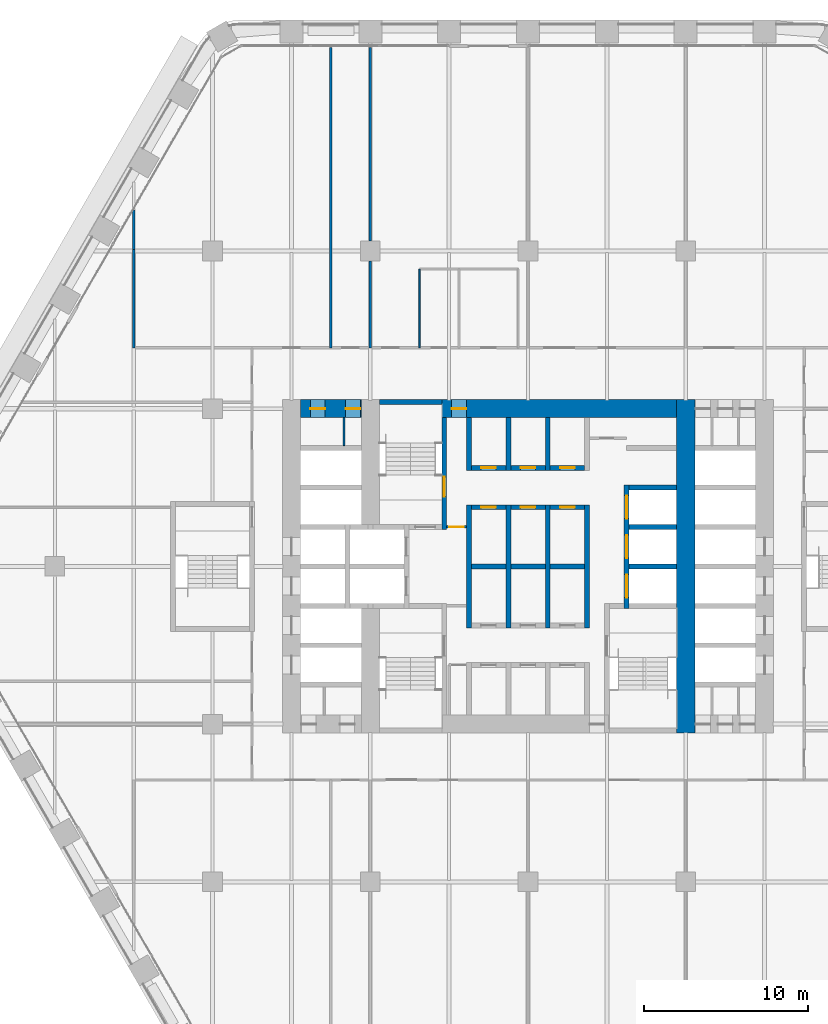
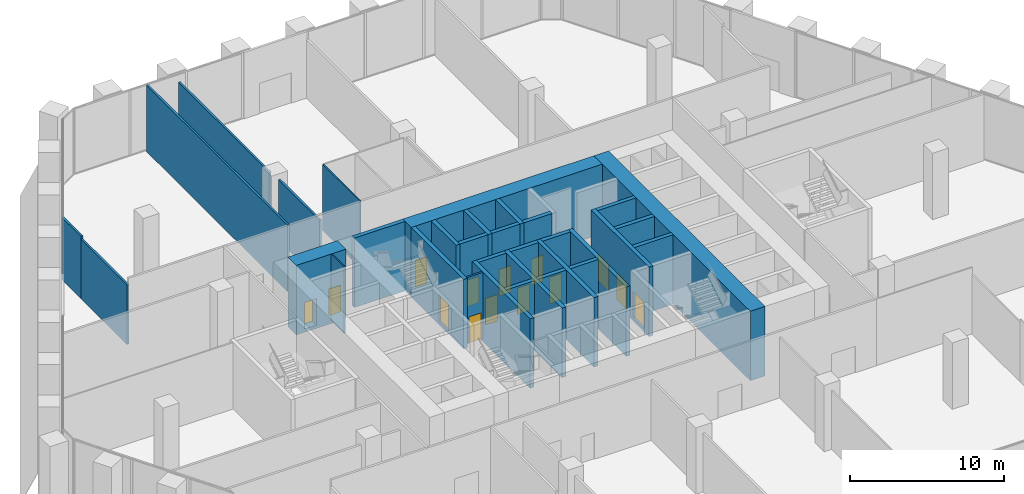
# One storey, part 20 of 27: 33 walls, 14 doors, 14 openings.
"""IFC4 building model written with IfcOpenShell, lengths in metres."""

from ifc_helpers import new_model, si_unit, direction, frame, frame_2d, origin, place, context, subcontext, project, spatial, rectangle, extrude, material, layer, layer_set, type_object, element, fill, save


model = new_model("IFC4")

# Units and contexts
model_context = context("Model", 3, precision=1e-05, world=origin(), true_north=direction((0.0, 1.0)))
body_context = subcontext(model_context, "Body", "Model", "MODEL_VIEW")
ifc_project = project(units=[si_unit("LENGTHUNIT", "METRE"), si_unit("AREAUNIT", "SQUARE_METRE"), si_unit("VOLUMEUNIT", "CUBIC_METRE"), si_unit("PLANEANGLEUNIT", "RADIAN"), si_unit("MASSUNIT", "GRAM", prefix="KILO")], contexts=[model_context])

# Site, building, storey
site_placement = place(None, origin())
site = spatial("IfcSite", under=ifc_project, at=site_placement, CompositionType="ELEMENT")
building_placement = place(site_placement, origin())
building = spatial("IfcBuilding", under=site, at=building_placement, Name="Kolab Exchange Tower", CompositionType="ELEMENT")
storey_placement = place(building_placement, frame((0.0, 0.0, 49.89990234375)))
storey = spatial("IfcBuildingStorey", under=building, at=storey_placement, Name="L09", CompositionType="ELEMENT", Elevation=49.89990234375)

# Wall, openings, doors
ifc_material_1 = material(Name="Concrete C80/95", Category="concrete")
ifc_layer_1 = layer(ifc_material_1, 1.10009765625)
ifc_layer_set_1 = layer_set([ifc_layer_1], Name="Concrete C80/95")
wall_type_1 = type_object("IfcWallType", Name="CORE WALL 1100 C80/95", PredefinedType="SHEAR", material=ifc_layer_set_1)
wall_1_placement = place(storey_placement, frame((-13.85009765625, 9.60009765625, -0.25), z_axis=(0.0, 0.0, 1.0), x_axis=(1.0, 0.0, 0.0)))
wall_1 = element("IfcWall", 1, at=wall_1_placement, inside=storey, type_object=wall_type_1, Name="wall/L09/core/051", PredefinedType="SHEAR", context=body_context, shape_type="SweptSolid", body=[
    extrude(rectangle(XDim=3.7001953125, YDim=1.10009765625, at=frame_2d((1.85009765625, 0.0))), origin(), (0.0, 0.0, 1.0), 5.5),
])
opening_1_placement = place(wall_1_placement, frame((0.60009765625, 0.0, 0.25)))
opening_1 = element("IfcOpeningElement", 2, at=opening_1_placement, cuts=wall_1, Name="Opening D6-108", PredefinedType="OPENING", context=body_context, shape_type="SweptSolid", body=[
    extrude(rectangle(XDim=0.89990234375, YDim=2.10009765625, at=frame_2d((0.449951171875, 1.050048828125))), frame((0.0, 0.56005859375, 0.0), z_axis=(0.0, -1.0, 0.0), x_axis=(1.0, 0.0, 0.0)), (0.0, 0.0, 1.0), 1.1201171875),
])
opening_2_placement = place(wall_1_placement, frame((2.75, 0.0, 0.25)))
opening_2 = element("IfcOpeningElement", 3, at=opening_2_placement, cuts=wall_1, Name="Opening D6-109", PredefinedType="OPENING", context=body_context, shape_type="SweptSolid", body=[
    extrude(rectangle(XDim=0.89990234375, YDim=2.10009765625, at=frame_2d((0.449951171875, 1.050048828125))), frame((0.0, 0.56005859375, 0.0), z_axis=(0.0, -1.0, 0.0), x_axis=(1.0, 0.0, 0.0)), (0.0, 0.0, 1.0), 1.1201171875),
])
ifc_material_2 = material(Name="Steel S235", Category="steel")
door_type_1 = type_object("IfcDoorType", Name="CORE DOOR 900 EI 120", OperationType="SINGLE_SWING_LEFT", PredefinedType="DOOR", material=ifc_material_2)
door_1_placement = place(opening_1_placement, frame((0.89990234375, 0.0, 0.0), z_axis=(0.0, 0.0, 1.0), x_axis=(-1.0, 0.0, 0.0)))
door_1 = element("IfcDoor", 4, at=door_1_placement, inside=storey, type_object=door_type_1, Name="Service room door", OperationType="SINGLE_SWING_RIGHT", OverallHeight=2.10009765625, OverallWidth=0.89990234375, PredefinedType="DOOR", context=body_context, shape_type="SweptSolid", body=[
    extrude(rectangle(XDim=0.89990234375, YDim=2.10009765625, at=frame_2d((0.449951171875, 1.050048828125))), frame((0.0, 0.02490234375, 0.0), z_axis=(0.0, -1.0, 0.0), x_axis=(1.0, 0.0, 0.0)), (0.0, 0.0, 1.0), 0.050048828125),
])
fill(opening_1, door_1)
door_2_placement = place(opening_2_placement, frame((0.89990234375, 0.0, 0.0), z_axis=(0.0, 0.0, 1.0), x_axis=(-1.0, 0.0, 0.0)))
door_2 = element("IfcDoor", 5, at=door_2_placement, inside=storey, type_object=door_type_1, Name="Service room door", OperationType="SINGLE_SWING_LEFT", OverallHeight=2.10009765625, OverallWidth=0.89990234375, PredefinedType="DOOR", context=body_context, shape_type="SweptSolid", body=[
    extrude(rectangle(XDim=0.89990234375, YDim=2.10009765625, at=frame_2d((0.449951171875, 1.050048828125))), frame((0.0, 0.02490234375, 0.0), z_axis=(0.0, -1.0, 0.0), x_axis=(1.0, 0.0, 0.0)), (0.0, 0.0, 1.0), 0.050048828125),
])
fill(opening_2, door_2)

# Wall, opening, door
wall_2_placement = place(storey_placement, frame((-5.25, 9.60009765625, -0.25), z_axis=(0.0, 0.0, 1.0), x_axis=(1.0, 0.0, 0.0)))
wall_2 = element("IfcWall", 6, at=wall_2_placement, inside=storey, type_object=wall_type_1, Name="wall/L09/core/052", PredefinedType="SHEAR", context=body_context, shape_type="SweptSolid", body=[
    extrude(rectangle(XDim=14.300048828125, YDim=1.10009765625, at=frame_2d((7.14990234375, 0.0))), origin(), (0.0, 0.0, 1.0), 5.5),
])
opening_3_placement = place(wall_2_placement, frame((0.60009765625, 0.0, 0.25)))
opening_3 = element("IfcOpeningElement", 7, at=opening_3_placement, cuts=wall_2, Name="Opening D6-107", PredefinedType="OPENING", context=body_context, shape_type="SweptSolid", body=[
    extrude(rectangle(XDim=0.89990234375, YDim=2.10009765625, at=frame_2d((0.449951171875, 1.050048828125))), frame((0.0, 0.56005859375, 0.0), z_axis=(0.0, -1.0, 0.0), x_axis=(1.0, 0.0, 0.0)), (0.0, 0.0, 1.0), 1.1201171875),
])
door_3_placement = place(opening_3_placement, frame((0.89990234375, 0.0, 0.0), z_axis=(0.0, 0.0, 1.0), x_axis=(-1.0, 0.0, 0.0)))
door_3 = element("IfcDoor", 8, at=door_3_placement, inside=storey, type_object=door_type_1, Name="Core lobby door", OperationType="SINGLE_SWING_RIGHT", OverallHeight=2.10009765625, OverallWidth=0.89990234375, PredefinedType="DOOR", context=body_context, shape_type="SweptSolid", body=[
    extrude(rectangle(XDim=0.89990234375, YDim=2.10009765625, at=frame_2d((0.449951171875, 1.050048828125))), frame((0.0, 0.02490234375, 0.0), z_axis=(0.0, -1.0, 0.0), x_axis=(1.0, 0.0, 0.0)), (0.0, 0.0, 1.0), 0.050048828125),
])
fill(opening_3, door_3)

# Walls
wall_3_placement = place(storey_placement, frame((9.60009765625, -10.14990234375, -0.25), z_axis=(0.0, 0.0, 1.0), x_axis=(0.0, 1.0, 0.0)))
element("IfcWall", 9, at=wall_3_placement, inside=storey, type_object=wall_type_1, Name="wall/L09/core/080", PredefinedType="SHEAR", context=body_context, shape_type="SweptSolid", body=[
    extrude(rectangle(XDim=20.2998046875, YDim=1.10009765625, at=frame_2d((10.14990234375, 0.0))), origin(), (0.0, 0.0, 1.0), 5.5),
])
ifc_material_3 = material(Name="Concrete C50/60", Category="concrete")
ifc_layer_2 = layer(ifc_material_3, 0.300048828125)
ifc_layer_set_2 = layer_set([ifc_layer_2], Name="Concrete C50/60")
wall_type_2 = type_object("IfcWallType", Name="LIFT SHAFT WALL 300 C50/60", PredefinedType="STANDARD", material=ifc_layer_set_2)
wall_4_placement = place(storey_placement, frame((-3.449951171875, 0.0, -0.25), z_axis=(0.0, 0.0, 1.0), x_axis=(1.0, 0.0, 0.0)))
element("IfcWall", 10, at=wall_4_placement, inside=storey, type_object=wall_type_2, Name="wall/L09/core/026", PredefinedType="STANDARD", context=body_context, shape_type="SweptSolid", body=[
    extrude(rectangle(XDim=2.099853515625, YDim=0.300048828125, at=frame_2d((1.0498046875, 0.0))), origin(), (0.0, 0.0, 1.0), 5.5),
])
wall_5_placement = place(storey_placement, frame((-1.050048828125, 0.0, -0.25), z_axis=(0.0, 0.0, 1.0), x_axis=(1.0, 0.0, 0.0)))
element("IfcWall", 11, at=wall_5_placement, inside=storey, type_object=wall_type_2, Name="wall/L09/core/027", PredefinedType="STANDARD", context=body_context, shape_type="SweptSolid", body=[
    extrude(rectangle(XDim=2.10009765625, YDim=0.300048828125, at=frame_2d((1.050048828125, 0.0))), origin(), (0.0, 0.0, 1.0), 5.5),
])
wall_6_placement = place(storey_placement, frame((1.35009765625, 0.0, -0.25), z_axis=(0.0, 0.0, 1.0), x_axis=(1.0, 0.0, 0.0)))
element("IfcWall", 12, at=wall_6_placement, inside=storey, type_object=wall_type_2, Name="wall/L09/core/028", PredefinedType="STANDARD", context=body_context, shape_type="SweptSolid", body=[
    extrude(rectangle(XDim=2.099853515625, YDim=0.300048828125, at=frame_2d((1.0498046875, 0.0))), origin(), (0.0, 0.0, 1.0), 5.5),
])
for number, where, z_axis, x_axis, name in (
    (13, (6.14990234375, 0.0, -0.25), (0.0, 0.0, 1.0), (1.0, 0.0, 0.0), "wall/L09/core/029"),
    (14, (6.14990234375, 2.39990234375, -0.25), (0.0, 0.0, 1.0), (1.0, 0.0, 0.0), "wall/L09/core/035"),
):
    element("IfcWall", number, at=place(storey_placement, frame(where, z_axis=z_axis, x_axis=x_axis)), inside=storey, type_object=wall_type_2, Name=name, PredefinedType="STANDARD", context=body_context, shape_type="SweptSolid", body=[
        extrude(rectangle(XDim=2.900146484375, YDim=0.300048828125, at=frame_2d((1.4501953125, 0.0))), origin(), (0.0, 0.0, 1.0), 5.5),
    ])

# Wall, opening, door
wall_7_placement = place(storey_placement, frame((-3.449951171875, 3.60009765625, -0.25), z_axis=(0.0, 0.0, 1.0), x_axis=(1.0, 0.0, 0.0)))
wall_7 = element("IfcWall", 15, at=wall_7_placement, inside=storey, type_object=wall_type_2, Name="wall/L09/core/037", PredefinedType="STANDARD", context=body_context, shape_type="SweptSolid", body=[
    extrude(rectangle(XDim=2.099853515625, YDim=0.300048828125, at=frame_2d((1.0498046875, 0.0))), origin(), (0.0, 0.0, 1.0), 5.5),
])
opening_4_placement = place(wall_7_placement, frame((0.60009765625, 0.0, 0.25)))
opening_4 = element("IfcOpeningElement", 16, at=opening_4_placement, cuts=wall_7, Name="Opening D6-089", PredefinedType="OPENING", context=body_context, shape_type="SweptSolid", body=[
    extrude(rectangle(XDim=0.89990234375, YDim=2.10009765625, at=frame_2d((0.449951171875, 1.050048828125))), frame((0.0, 0.16015625, 0.0), z_axis=(0.0, -1.0, 0.0), x_axis=(1.0, 0.0, 0.0)), (0.0, 0.0, 1.0), 0.320068359375),
])
door_4_placement = place(opening_4_placement, frame((0.89990234375, 0.0, 0.0), z_axis=(0.0, 0.0, 1.0), x_axis=(-1.0, 0.0, 0.0)))
door_4 = element("IfcDoor", 17, at=door_4_placement, inside=storey, type_object=door_type_1, Name="Service room door", OperationType="SINGLE_SWING_LEFT", OverallHeight=2.10009765625, OverallWidth=0.89990234375, PredefinedType="DOOR", context=body_context, shape_type="SweptSolid", body=[
    extrude(rectangle(XDim=0.89990234375, YDim=2.10009765625, at=frame_2d((0.449951171875, 1.050048828125))), frame((0.0, 0.02490234375, 0.0), z_axis=(0.0, -1.0, 0.0), x_axis=(1.0, 0.0, 0.0)), (0.0, 0.0, 1.0), 0.050048828125),
])
fill(opening_4, door_4)

wall_8_placement = place(storey_placement, frame((-1.050048828125, 3.60009765625, -0.25), z_axis=(0.0, 0.0, 1.0), x_axis=(1.0, 0.0, 0.0)))
wall_8 = element("IfcWall", 18, at=wall_8_placement, inside=storey, type_object=wall_type_2, Name="wall/L09/core/038", PredefinedType="STANDARD", context=body_context, shape_type="SweptSolid", body=[
    extrude(rectangle(XDim=2.10009765625, YDim=0.300048828125, at=frame_2d((1.050048828125, 0.0))), origin(), (0.0, 0.0, 1.0), 5.5),
])
opening_5_placement = place(wall_8_placement, frame((0.60009765625, 0.0, 0.25)))
opening_5 = element("IfcOpeningElement", 19, at=opening_5_placement, cuts=wall_8, Name="Opening D6-088", PredefinedType="OPENING", context=body_context, shape_type="SweptSolid", body=[
    extrude(rectangle(XDim=0.89990234375, YDim=2.10009765625, at=frame_2d((0.449951171875, 1.050048828125))), frame((0.0, 0.16015625, 0.0), z_axis=(0.0, -1.0, 0.0), x_axis=(1.0, 0.0, 0.0)), (0.0, 0.0, 1.0), 0.320068359375),
])
door_5_placement = place(opening_5_placement, frame((0.89990234375, 0.0, 0.0), z_axis=(0.0, 0.0, 1.0), x_axis=(-1.0, 0.0, 0.0)))
door_5 = element("IfcDoor", 20, at=door_5_placement, inside=storey, type_object=door_type_1, Name="Service room door", OperationType="SINGLE_SWING_LEFT", OverallHeight=2.10009765625, OverallWidth=0.89990234375, PredefinedType="DOOR", context=body_context, shape_type="SweptSolid", body=[
    extrude(rectangle(XDim=0.89990234375, YDim=2.10009765625, at=frame_2d((0.449951171875, 1.050048828125))), frame((0.0, 0.02490234375, 0.0), z_axis=(0.0, -1.0, 0.0), x_axis=(1.0, 0.0, 0.0)), (0.0, 0.0, 1.0), 0.050048828125),
])
fill(opening_5, door_5)

wall_9_placement = place(storey_placement, frame((1.35009765625, 3.60009765625, -0.25), z_axis=(0.0, 0.0, 1.0), x_axis=(1.0, 0.0, 0.0)))
wall_9 = element("IfcWall", 21, at=wall_9_placement, inside=storey, type_object=wall_type_2, Name="wall/L09/core/039", PredefinedType="STANDARD", context=body_context, shape_type="SweptSolid", body=[
    extrude(rectangle(XDim=2.099853515625, YDim=0.300048828125, at=frame_2d((1.0498046875, 0.0))), origin(), (0.0, 0.0, 1.0), 5.5),
])
opening_6_placement = place(wall_9_placement, frame((0.60009765625, 0.0, 0.25)))
opening_6 = element("IfcOpeningElement", 22, at=opening_6_placement, cuts=wall_9, Name="Opening D6-087", PredefinedType="OPENING", context=body_context, shape_type="SweptSolid", body=[
    extrude(rectangle(XDim=0.89990234375, YDim=2.10009765625, at=frame_2d((0.449951171875, 1.050048828125))), frame((0.0, 0.16015625, 0.0), z_axis=(0.0, -1.0, 0.0), x_axis=(1.0, 0.0, 0.0)), (0.0, 0.0, 1.0), 0.320068359375),
])
door_6_placement = place(opening_6_placement, frame((0.89990234375, 0.0, 0.0), z_axis=(0.0, 0.0, 1.0), x_axis=(-1.0, 0.0, 0.0)))
door_6 = element("IfcDoor", 23, at=door_6_placement, inside=storey, type_object=door_type_1, Name="Service room door", OperationType="SINGLE_SWING_RIGHT", OverallHeight=2.10009765625, OverallWidth=0.89990234375, PredefinedType="DOOR", context=body_context, shape_type="SweptSolid", body=[
    extrude(rectangle(XDim=0.89990234375, YDim=2.10009765625, at=frame_2d((0.449951171875, 1.050048828125))), frame((0.0, 0.02490234375, 0.0), z_axis=(0.0, -1.0, 0.0), x_axis=(1.0, 0.0, 0.0)), (0.0, 0.0, 1.0), 0.050048828125),
])
fill(opening_6, door_6)

# Wall
wall_10_placement = place(storey_placement, frame((6.14990234375, 4.800048828125, -0.25), z_axis=(0.0, 0.0, 1.0), x_axis=(1.0, 0.0, 0.0)))
element("IfcWall", 24, at=wall_10_placement, inside=storey, type_object=wall_type_2, Name="wall/L09/core/043", PredefinedType="STANDARD", context=body_context, shape_type="SweptSolid", body=[
    extrude(rectangle(XDim=2.900146484375, YDim=0.300048828125, at=frame_2d((1.4501953125, 0.0))), origin(), (0.0, 0.0, 1.0), 5.5),
])

# Wall, opening, door
wall_11_placement = place(storey_placement, frame((-3.449951171875, 6.0, -0.25), z_axis=(0.0, 0.0, 1.0), x_axis=(1.0, 0.0, 0.0)))
wall_11 = element("IfcWall", 25, at=wall_11_placement, inside=storey, type_object=wall_type_2, Name="wall/L09/core/045", PredefinedType="STANDARD", context=body_context, shape_type="SweptSolid", body=[
    extrude(rectangle(XDim=2.099853515625, YDim=0.300048828125, at=frame_2d((1.0498046875, 0.0))), origin(), (0.0, 0.0, 1.0), 5.5),
])
opening_7_placement = place(wall_11_placement, frame((0.60009765625, 0.0, 0.25)))
opening_7 = element("IfcOpeningElement", 26, at=opening_7_placement, cuts=wall_11, Name="Opening D6-086", PredefinedType="OPENING", context=body_context, shape_type="SweptSolid", body=[
    extrude(rectangle(XDim=0.89990234375, YDim=2.10009765625, at=frame_2d((0.449951171875, 1.050048828125))), frame((0.0, 0.16015625, 0.0), z_axis=(0.0, -1.0, 0.0), x_axis=(1.0, 0.0, 0.0)), (0.0, 0.0, 1.0), 0.320068359375),
])
door_7_placement = place(opening_7_placement, origin())
door_7 = element("IfcDoor", 27, at=door_7_placement, inside=storey, type_object=door_type_1, Name="Service room door", OperationType="SINGLE_SWING_LEFT", OverallHeight=2.10009765625, OverallWidth=0.89990234375, PredefinedType="DOOR", context=body_context, shape_type="SweptSolid", body=[
    extrude(rectangle(XDim=0.89990234375, YDim=2.10009765625, at=frame_2d((0.449951171875, 1.050048828125))), frame((0.0, 0.02490234375, 0.0), z_axis=(0.0, -1.0, 0.0), x_axis=(1.0, 0.0, 0.0)), (0.0, 0.0, 1.0), 0.050048828125),
])
fill(opening_7, door_7)

wall_12_placement = place(storey_placement, frame((-1.050048828125, 6.0, -0.25), z_axis=(0.0, 0.0, 1.0), x_axis=(1.0, 0.0, 0.0)))
wall_12 = element("IfcWall", 28, at=wall_12_placement, inside=storey, type_object=wall_type_2, Name="wall/L09/core/046", PredefinedType="STANDARD", context=body_context, shape_type="SweptSolid", body=[
    extrude(rectangle(XDim=2.10009765625, YDim=0.300048828125, at=frame_2d((1.050048828125, 0.0))), origin(), (0.0, 0.0, 1.0), 5.5),
])
opening_8_placement = place(wall_12_placement, frame((0.60009765625, 0.0, 0.25)))
opening_8 = element("IfcOpeningElement", 29, at=opening_8_placement, cuts=wall_12, Name="Opening D6-105", PredefinedType="OPENING", context=body_context, shape_type="SweptSolid", body=[
    extrude(rectangle(XDim=0.89990234375, YDim=2.10009765625, at=frame_2d((0.449951171875, 1.050048828125))), frame((0.0, 0.16015625, 0.0), z_axis=(0.0, -1.0, 0.0), x_axis=(1.0, 0.0, 0.0)), (0.0, 0.0, 1.0), 0.320068359375),
])
door_8_placement = place(opening_8_placement, origin())
door_8 = element("IfcDoor", 30, at=door_8_placement, inside=storey, type_object=door_type_1, Name="Service room door", OperationType="SINGLE_SWING_LEFT", OverallHeight=2.10009765625, OverallWidth=0.89990234375, PredefinedType="DOOR", context=body_context, shape_type="SweptSolid", body=[
    extrude(rectangle(XDim=0.89990234375, YDim=2.10009765625, at=frame_2d((0.449951171875, 1.050048828125))), frame((0.0, 0.02490234375, 0.0), z_axis=(0.0, -1.0, 0.0), x_axis=(1.0, 0.0, 0.0)), (0.0, 0.0, 1.0), 0.050048828125),
])
fill(opening_8, door_8)

wall_13_placement = place(storey_placement, frame((1.35009765625, 6.0, -0.25), z_axis=(0.0, 0.0, 1.0), x_axis=(1.0, 0.0, 0.0)))
wall_13 = element("IfcWall", 31, at=wall_13_placement, inside=storey, type_object=wall_type_2, Name="wall/L09/core/047", PredefinedType="STANDARD", context=body_context, shape_type="SweptSolid", body=[
    extrude(rectangle(XDim=2.099853515625, YDim=0.300048828125, at=frame_2d((1.0498046875, 0.0))), origin(), (0.0, 0.0, 1.0), 5.5),
])
opening_9_placement = place(wall_13_placement, frame((0.60009765625, 0.0, 0.25)))
opening_9 = element("IfcOpeningElement", 32, at=opening_9_placement, cuts=wall_13, Name="Opening D6-084", PredefinedType="OPENING", context=body_context, shape_type="SweptSolid", body=[
    extrude(rectangle(XDim=0.89990234375, YDim=2.10009765625, at=frame_2d((0.449951171875, 1.050048828125))), frame((0.0, 0.16015625, 0.0), z_axis=(0.0, -1.0, 0.0), x_axis=(1.0, 0.0, 0.0)), (0.0, 0.0, 1.0), 0.320068359375),
])
door_9_placement = place(opening_9_placement, origin())
door_9 = element("IfcDoor", 33, at=door_9_placement, inside=storey, type_object=door_type_1, Name="Service room door", OperationType="SINGLE_SWING_RIGHT", OverallHeight=2.10009765625, OverallWidth=0.89990234375, PredefinedType="DOOR", context=body_context, shape_type="SweptSolid", body=[
    extrude(rectangle(XDim=0.89990234375, YDim=2.10009765625, at=frame_2d((0.449951171875, 1.050048828125))), frame((0.0, 0.02490234375, 0.0), z_axis=(0.0, -1.0, 0.0), x_axis=(1.0, 0.0, 0.0)), (0.0, 0.0, 1.0), 0.050048828125),
])
fill(opening_9, door_9)

# Walls
wall_14_placement = place(storey_placement, frame((-3.60009765625, -3.75, -0.25), z_axis=(0.0, 0.0, 1.0), x_axis=(0.0, 1.0, 0.0)))
element("IfcWall", 34, at=wall_14_placement, inside=storey, type_object=wall_type_2, Name="wall/L09/core/067", PredefinedType="STANDARD", context=body_context, shape_type="SweptSolid", body=[
    extrude(rectangle(XDim=7.5, YDim=0.300048828125, at=frame_2d((3.75, 0.0))), origin(), (0.0, 0.0, 1.0), 5.5),
])
wall_15_placement = place(storey_placement, frame((-3.60009765625, 5.85009765625, -0.25), z_axis=(0.0, 0.0, 1.0), x_axis=(0.0, 1.0, 0.0)))
element("IfcWall", 35, at=wall_15_placement, inside=storey, type_object=wall_type_2, Name="wall/L09/core/068", PredefinedType="STANDARD", context=body_context, shape_type="SweptSolid", body=[
    extrude(rectangle(XDim=3.199951171875, YDim=0.300048828125, at=frame_2d((1.60009765625, 0.0))), origin(), (0.0, 0.0, 1.0), 5.5),
])
wall_16_placement = place(storey_placement, frame((-1.199951171875, -3.75, -0.25), z_axis=(0.0, 0.0, 1.0), x_axis=(0.0, 1.0, 0.0)))
element("IfcWall", 36, at=wall_16_placement, inside=storey, type_object=wall_type_2, Name="wall/L09/core/070", PredefinedType="STANDARD", context=body_context, shape_type="SweptSolid", body=[
    extrude(rectangle(XDim=7.5, YDim=0.300048828125, at=frame_2d((3.75, 0.0))), origin(), (0.0, 0.0, 1.0), 5.5),
])
wall_17_placement = place(storey_placement, frame((-1.199951171875, 5.85009765625, -0.25), z_axis=(0.0, 0.0, 1.0), x_axis=(0.0, 1.0, 0.0)))
element("IfcWall", 37, at=wall_17_placement, inside=storey, type_object=wall_type_2, Name="wall/L09/core/071", PredefinedType="STANDARD", context=body_context, shape_type="SweptSolid", body=[
    extrude(rectangle(XDim=3.199951171875, YDim=0.300048828125, at=frame_2d((1.60009765625, 0.0))), origin(), (0.0, 0.0, 1.0), 5.5),
])
wall_18_placement = place(storey_placement, frame((1.199951171875, -3.75, -0.25), z_axis=(0.0, 0.0, 1.0), x_axis=(0.0, 1.0, 0.0)))
element("IfcWall", 38, at=wall_18_placement, inside=storey, type_object=wall_type_2, Name="wall/L09/core/073", PredefinedType="STANDARD", context=body_context, shape_type="SweptSolid", body=[
    extrude(rectangle(XDim=7.5, YDim=0.300048828125, at=frame_2d((3.75, 0.0))), origin(), (0.0, 0.0, 1.0), 5.5),
])
wall_19_placement = place(storey_placement, frame((1.199951171875, 5.85009765625, -0.25), z_axis=(0.0, 0.0, 1.0), x_axis=(0.0, 1.0, 0.0)))
element("IfcWall", 39, at=wall_19_placement, inside=storey, type_object=wall_type_2, Name="wall/L09/core/074", PredefinedType="STANDARD", context=body_context, shape_type="SweptSolid", body=[
    extrude(rectangle(XDim=3.199951171875, YDim=0.300048828125, at=frame_2d((1.60009765625, 0.0))), origin(), (0.0, 0.0, 1.0), 5.5),
])
wall_20_placement = place(storey_placement, frame((3.60009765625, -3.75, -0.25), z_axis=(0.0, 0.0, 1.0), x_axis=(0.0, 1.0, 0.0)))
element("IfcWall", 40, at=wall_20_placement, inside=storey, type_object=wall_type_2, Name="wall/L09/core/076", PredefinedType="STANDARD", context=body_context, shape_type="SweptSolid", body=[
    extrude(rectangle(XDim=7.5, YDim=0.300048828125, at=frame_2d((3.75, 0.0))), origin(), (0.0, 0.0, 1.0), 5.5),
])

# Wall, openings, doors
wall_21_placement = place(storey_placement, frame((6.0, -2.550048828125, -0.25), z_axis=(0.0, 0.0, 1.0), x_axis=(0.0, 1.0, 0.0)))
wall_21 = element("IfcWall", 41, at=wall_21_placement, inside=storey, type_object=wall_type_2, Name="wall/L09/core/079", PredefinedType="STANDARD", context=body_context, shape_type="SweptSolid", body=[
    extrude(rectangle(XDim=7.5, YDim=0.300048828125, at=frame_2d((3.75, 0.0))), origin(), (0.0, 0.0, 1.0), 5.5),
])
opening_10_placement = place(wall_21_placement, frame((0.64990234375, 0.0, 0.25)))
opening_10 = element("IfcOpeningElement", 42, at=opening_10_placement, cuts=wall_21, Name="Opening LD3-013", PredefinedType="OPENING", context=body_context, shape_type="SweptSolid", body=[
    extrude(rectangle(XDim=1.39990234375, YDim=2.10009765625, at=frame_2d((0.699951171875, 1.050048828125))), frame((0.0, 0.16015625, 0.0), z_axis=(0.0, -1.0, 0.0), x_axis=(1.0, 0.0, 0.0)), (0.0, 0.0, 1.0), 0.320068359375),
])
opening_11_placement = place(wall_21_placement, frame((3.050048828125, 0.0, 0.25)))
opening_11 = element("IfcOpeningElement", 43, at=opening_11_placement, cuts=wall_21, Name="Opening LD3-014", PredefinedType="OPENING", context=body_context, shape_type="SweptSolid", body=[
    extrude(rectangle(XDim=1.39990234375, YDim=2.10009765625, at=frame_2d((0.699951171875, 1.050048828125))), frame((0.0, 0.16015625, 0.0), z_axis=(0.0, -1.0, 0.0), x_axis=(1.0, 0.0, 0.0)), (0.0, 0.0, 1.0), 0.320068359375),
])
opening_12_placement = place(wall_21_placement, frame((5.449951171875, 0.0, 0.25)))
opening_12 = element("IfcOpeningElement", 44, at=opening_12_placement, cuts=wall_21, Name="Opening LD3-015", PredefinedType="OPENING", context=body_context, shape_type="SweptSolid", body=[
    extrude(rectangle(XDim=1.39990234375, YDim=2.10009765625, at=frame_2d((0.699951171875, 1.050048828125))), frame((0.0, 0.16015625, 0.0), z_axis=(0.0, -1.0, 0.0), x_axis=(1.0, 0.0, 0.0)), (0.0, 0.0, 1.0), 0.320068359375),
])
ifc_material_4 = material(Name="Stainless steel 316", Category="steel")
door_type_2 = type_object("IfcDoorType", Name="LANDING DOOR 1400 SERVICE", OperationType="DOUBLE_DOOR_SLIDING", PredefinedType="DOOR", material=ifc_material_4)
door_10_placement = place(opening_10_placement, origin())
door_10 = element("IfcDoor", 45, at=door_10_placement, inside=storey, type_object=door_type_2, Name="Landing door SV1", OperationType="DOUBLE_DOOR_SLIDING", OverallHeight=2.10009765625, OverallWidth=1.39990234375, PredefinedType="DOOR", context=body_context, shape_type="SweptSolid", body=[
    extrude(rectangle(XDim=1.39990234375, YDim=2.10009765625, at=frame_2d((0.699951171875, 1.050048828125))), frame((0.0, 0.02490234375, 0.0), z_axis=(0.0, -1.0, 0.0), x_axis=(1.0, 0.0, 0.0)), (0.0, 0.0, 1.0), 0.050048828125),
])
fill(opening_10, door_10)
door_11_placement = place(opening_11_placement, origin())
door_11 = element("IfcDoor", 46, at=door_11_placement, inside=storey, type_object=door_type_2, Name="Landing door SV2", OperationType="DOUBLE_DOOR_SLIDING", OverallHeight=2.10009765625, OverallWidth=1.39990234375, PredefinedType="DOOR", context=body_context, shape_type="SweptSolid", body=[
    extrude(rectangle(XDim=1.39990234375, YDim=2.10009765625, at=frame_2d((0.699951171875, 1.050048828125))), frame((0.0, 0.02490234375, 0.0), z_axis=(0.0, -1.0, 0.0), x_axis=(1.0, 0.0, 0.0)), (0.0, 0.0, 1.0), 0.050048828125),
])
fill(opening_11, door_11)
door_12_placement = place(opening_12_placement, origin())
door_12 = element("IfcDoor", 47, at=door_12_placement, inside=storey, type_object=door_type_2, Name="Landing door SV3", OperationType="DOUBLE_DOOR_SLIDING", OverallHeight=2.10009765625, OverallWidth=1.39990234375, PredefinedType="DOOR", context=body_context, shape_type="SweptSolid", body=[
    extrude(rectangle(XDim=1.39990234375, YDim=2.10009765625, at=frame_2d((0.699951171875, 1.050048828125))), frame((0.0, 0.02490234375, 0.0), z_axis=(0.0, -1.0, 0.0), x_axis=(1.0, 0.0, 0.0)), (0.0, 0.0, 1.0), 0.050048828125),
])
fill(opening_12, door_12)

# Walls
ifc_material_5 = material(Name="Gypsum board", Category="gypsum")
ifc_layer_3 = layer(ifc_material_5, 0.10009765625)
ifc_layer_set_3 = layer_set([ifc_layer_3], Name="Gypsum board")
wall_type_3 = type_object("IfcWallType", Name="PARTITION 100", PredefinedType="PARTITIONING", material=ifc_layer_set_3)
wall_22_placement = place(storey_placement, frame((-6.60009765625, 13.300048828125, 0.0), z_axis=(0.0, 0.0, 1.0), x_axis=(0.0, 1.0, 0.0)))
element("IfcWall", 48, at=wall_22_placement, inside=storey, type_object=wall_type_3, Name="Partition 019", PredefinedType="PARTITIONING", context=body_context, shape_type="SweptSolid", body=[
    extrude(rectangle(XDim=4.800048828125, YDim=0.10009765625, at=frame_2d((2.39990234375, 0.0))), origin(), (0.0, 0.0, 1.0), 5.25),
])
wall_23_placement = place(storey_placement, frame((-11.199951171875, 7.35009765625, 0.0), z_axis=(0.0, 0.0, 1.0), x_axis=(0.0, 1.0, 0.0)))
element("IfcWall", 49, at=wall_23_placement, inside=storey, type_object=wall_type_3, Name="Partition 024", PredefinedType="PARTITIONING", context=body_context, shape_type="SweptSolid", body=[
    extrude(rectangle(XDim=1.699951171875, YDim=0.10009765625, at=frame_2d((0.85009765625, 0.0))), origin(), (0.0, 0.0, 1.0), 5.25),
])
ifc_layer_4 = layer(ifc_material_5, 0.14990234375)
ifc_layer_set_4 = layer_set([ifc_layer_4], Name="Gypsum board")
wall_type_4 = type_object("IfcWallType", Name="PARTITION 150 FIRE-RATED", PredefinedType="PARTITIONING", material=ifc_layer_set_4)
wall_24_placement = place(storey_placement, frame((-9.60009765625, 13.300048828125, 0.0), z_axis=(0.0, 0.0, 1.0), x_axis=(0.0, 1.0, 0.0)))
element("IfcWall", 50, at=wall_24_placement, inside=storey, type_object=wall_type_4, Name="Partition 022", PredefinedType="PARTITIONING", context=body_context, shape_type="SweptSolid", body=[
    extrude(rectangle(XDim=5.300048828125, YDim=0.14990234375, at=frame_2d((2.64990234375, 0.0))), origin(), (0.0, 0.0, 1.0), 4.793212890625),
])
wall_25_placement = place(storey_placement, frame((-9.60009765625, 19.800048828125, 0.0), z_axis=(0.0, 0.0, 1.0), x_axis=(0.0, 1.0, 0.0)))
element("IfcWall", 51, at=wall_25_placement, inside=storey, type_object=wall_type_4, Name="Partition 023", PredefinedType="PARTITIONING", context=body_context, shape_type="SweptSolid", body=[
    extrude(rectangle(XDim=11.785400390625, YDim=0.14990234375, at=frame_2d((5.892578125, 0.0))), origin(), (0.0, 0.0, 1.0), 4.64208984375),
])
wall_26_placement = place(storey_placement, frame((-12.0, 13.300048828125, 0.0), z_axis=(0.0, 0.0, 1.0), x_axis=(0.0, 1.0, 0.0)))
element("IfcWall", 52, at=wall_26_placement, inside=storey, type_object=wall_type_4, Name="Partition 026", PredefinedType="PARTITIONING", context=body_context, shape_type="SweptSolid", body=[
    extrude(rectangle(XDim=18.285400390625, YDim=0.14990234375, at=frame_2d((9.142578125, 0.0))), origin(), (0.0, 0.0, 1.0), 5.25),
])
wall_27_placement = place(storey_placement, frame((-24.0, 13.300048828125, 0.0), z_axis=(0.0, 0.0, 1.0), x_axis=(0.0, 1.0, 0.0)))
element("IfcWall", 53, at=wall_27_placement, inside=storey, type_object=wall_type_4, Name="Partition 031", PredefinedType="PARTITIONING", context=body_context, shape_type="SweptSolid", body=[
    extrude(rectangle(XDim=5.973876953125, YDim=0.14990234375, at=frame_2d((2.98681640625, 0.0))), origin(), (0.0, 0.0, 1.0), 4.717041015625),
])
wall_28_placement = place(storey_placement, frame((-24.0, 19.27392578125, 0.0), z_axis=(0.0, 0.0, 1.0), x_axis=(0.0, 1.0, 0.0)))
element("IfcWall", 54, at=wall_28_placement, inside=storey, type_object=wall_type_4, Name="Partition 031", PredefinedType="PARTITIONING", context=body_context, shape_type="SweptSolid", body=[
    extrude(rectangle(XDim=2.427490234375, YDim=0.14990234375, at=frame_2d((1.2138671875, 0.0))), origin(), (0.0, 0.0, 1.0), 4.940185546875),
])

# Wall, opening, door
wall_29_placement = place(storey_placement, frame((-4.949951171875, 2.39990234375, 0.0), z_axis=(0.0, 0.0, 1.0), x_axis=(1.0, 0.0, 0.0)))
wall_29 = element("IfcWall", 55, at=wall_29_placement, inside=storey, type_object=wall_type_4, Name="Fire partition", PredefinedType="PARTITIONING", context=body_context, shape_type="SweptSolid", body=[
    extrude(rectangle(XDim=1.199951171875, YDim=0.14990234375, at=frame_2d((0.60009765625, 0.0))), origin(), (0.0, 0.0, 1.0), 5.25),
])
opening_13_placement = place(wall_29_placement, frame((0.14990234375, 0.0, 0.0)))
opening_13 = element("IfcOpeningElement", 56, at=opening_13_placement, cuts=wall_29, Name="Opening D6-097", PredefinedType="OPENING", context=body_context, shape_type="SweptSolid", body=[
    extrude(rectangle(XDim=0.89990234375, YDim=2.10009765625, at=frame_2d((0.449951171875, 1.050048828125))), frame((0.0, 0.0849609375, 0.0), z_axis=(0.0, -1.0, 0.0), x_axis=(1.0, 0.0, 0.0)), (0.0, 0.0, 1.0), 0.169921875),
])
door_13_placement = place(opening_13_placement, frame((0.89990234375, 0.0, 0.0), z_axis=(0.0, 0.0, 1.0), x_axis=(-1.0, 0.0, 0.0)))
door_13 = element("IfcDoor", 57, at=door_13_placement, inside=storey, type_object=door_type_1, Name="Firefighting lobby door", OperationType="SINGLE_SWING_RIGHT", OverallHeight=2.10009765625, OverallWidth=0.89990234375, PredefinedType="DOOR", context=body_context, shape_type="SweptSolid", body=[
    extrude(rectangle(XDim=0.89990234375, YDim=2.10009765625, at=frame_2d((0.449951171875, 1.050048828125))), frame((0.0, 0.02490234375, 0.0), z_axis=(0.0, -1.0, 0.0), x_axis=(1.0, 0.0, 0.0)), (0.0, 0.0, 1.0), 0.050048828125),
])
fill(opening_13, door_13)

# Wall
ifc_layer_5 = layer(ifc_material_3, 0.300048828125)
ifc_layer_set_5 = layer_set([ifc_layer_5], Name="Concrete C50/60")
wall_type_5 = type_object("IfcWallType", Name="STAIR ENCLOSURE WALL 300 C50/60", PredefinedType="STANDARD", material=ifc_layer_set_5)
wall_30_placement = place(storey_placement, frame((-9.050048828125, 10.0, -0.25), z_axis=(0.0, 0.0, 1.0), x_axis=(1.0, 0.0, 0.0)))
element("IfcWall", 58, at=wall_30_placement, inside=storey, type_object=wall_type_5, Name="wall/L09/core/054", PredefinedType="STANDARD", context=body_context, shape_type="SweptSolid", body=[
    extrude(rectangle(XDim=3.800048828125, YDim=0.300048828125, at=frame_2d((1.89990234375, 0.0))), origin(), (0.0, 0.0, 1.0), 5.5),
])

# Wall, opening, door
wall_31_placement = place(storey_placement, frame((-5.10009765625, 2.25, -0.25), z_axis=(0.0, 0.0, 1.0), x_axis=(0.0, 1.0, 0.0)))
wall_31 = element("IfcWall", 59, at=wall_31_placement, inside=storey, type_object=wall_type_5, Name="wall/L09/core/065", PredefinedType="STANDARD", context=body_context, shape_type="SweptSolid", body=[
    extrude(rectangle(XDim=6.800048828125, YDim=0.300048828125, at=frame_2d((3.39990234375, 0.0))), origin(), (0.0, 0.0, 1.0), 5.5),
])
opening_14_placement = place(wall_31_placement, frame((2.0, 0.0, 0.25)))
opening_14 = element("IfcOpeningElement", 60, at=opening_14_placement, cuts=wall_31, Name="Opening D4-020", PredefinedType="OPENING", context=body_context, shape_type="SweptSolid", body=[
    extrude(rectangle(XDim=1.199951171875, YDim=2.10009765625, at=frame_2d((0.60009765625, 1.050048828125))), frame((0.0, 0.16015625, 0.0), z_axis=(0.0, -1.0, 0.0), x_axis=(1.0, 0.0, 0.0)), (0.0, 0.0, 1.0), 0.320068359375),
])
door_type_3 = type_object("IfcDoorType", Name="STAIR DOOR 1200 EI 120", OperationType="SINGLE_SWING_LEFT", PredefinedType="DOOR", material=ifc_material_2)
door_14_placement = place(opening_14_placement, origin())
door_14 = element("IfcDoor", 61, at=door_14_placement, inside=storey, type_object=door_type_3, Name="Stair 1 door", OperationType="SINGLE_SWING_LEFT", OverallHeight=2.10009765625, OverallWidth=1.199951171875, PredefinedType="DOOR", context=body_context, shape_type="SweptSolid", body=[
    extrude(rectangle(XDim=1.199951171875, YDim=2.10009765625, at=frame_2d((0.60009765625, 1.050048828125))), frame((0.0, 0.02490234375, 0.0), z_axis=(0.0, -1.0, 0.0), x_axis=(1.0, 0.0, 0.0)), (0.0, 0.0, 1.0), 0.050048828125),
])
fill(opening_14, door_14)

save(model, "model.ifc")
